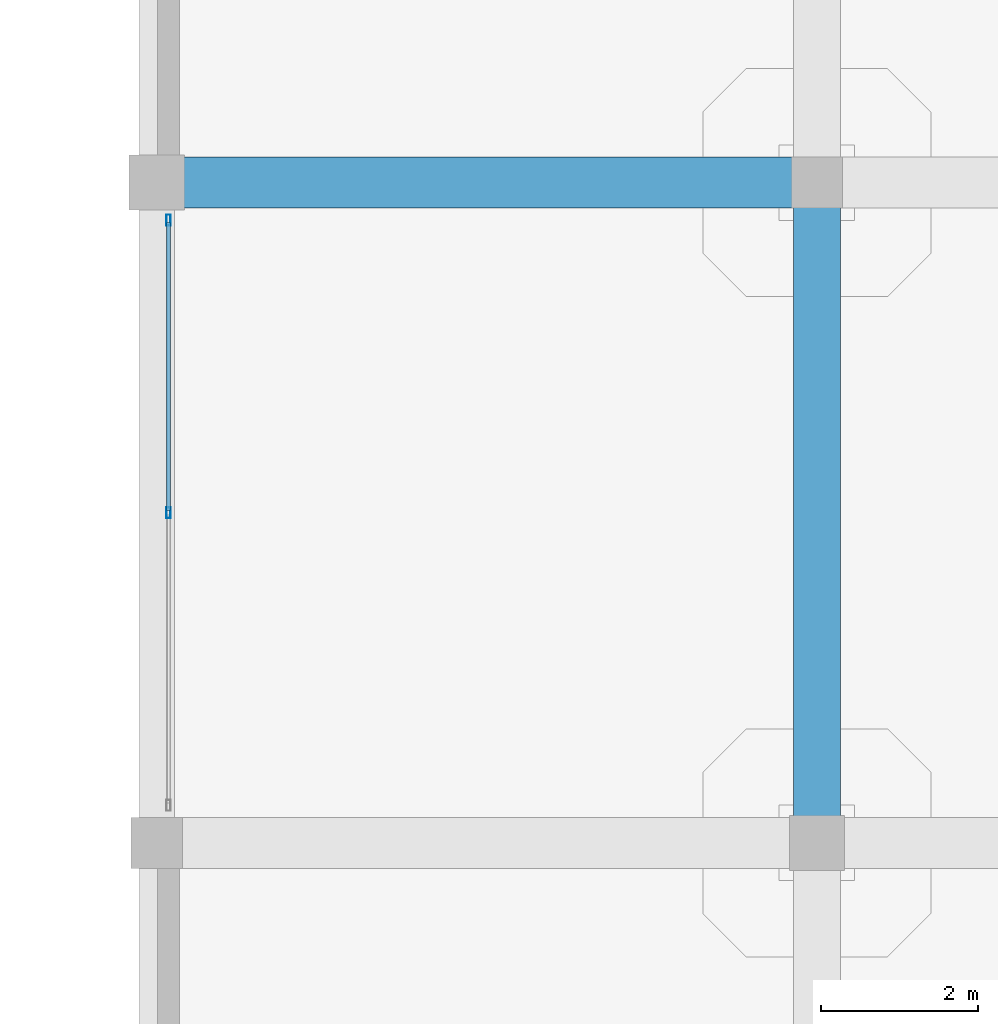
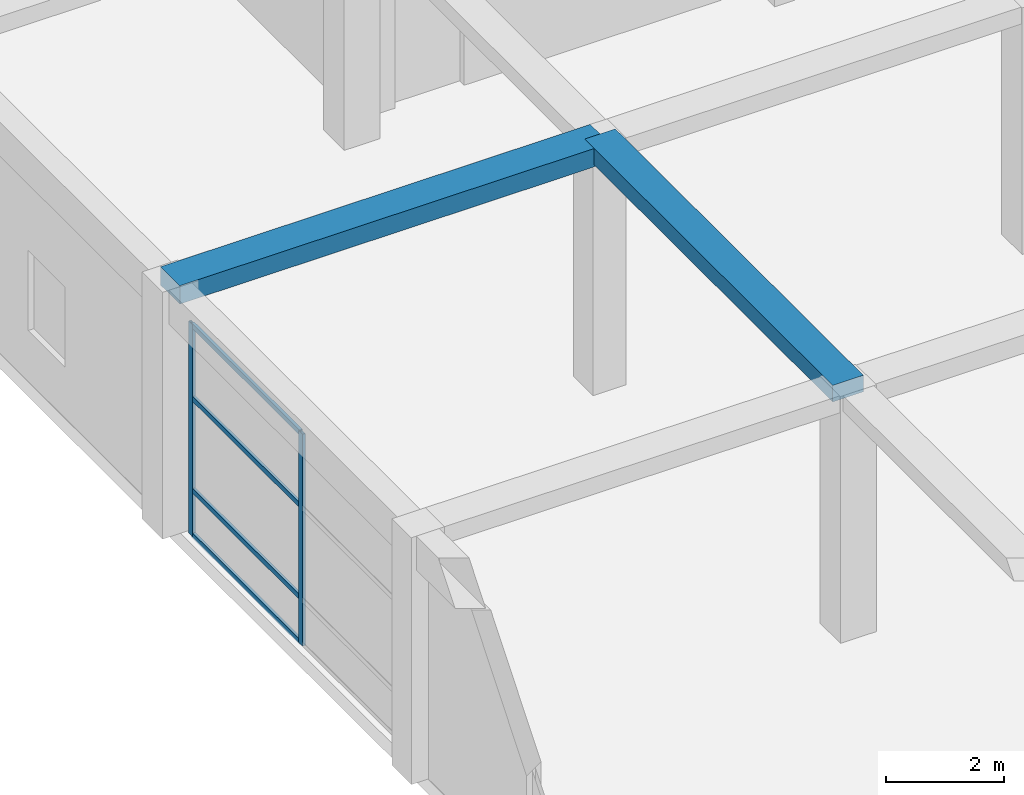
# One storey, part 20 of 96: 6 members, 2 beams, 1 element without a shape of its own.
"""IFC4 building model written with IfcOpenShell, lengths in metres."""

from ifc_helpers import new_model, si_unit, direction, frame, origin, origin_2d, place, context, subcontext, project, spatial, rectangle, hollow_rectangle, extrude, material, material_profile, profile_set, type_object, element, aggregate, save


model = new_model("IFC4")

# Units and contexts
model_context = context("Model", 3, precision=1e-05, world=origin(), true_north=direction((0.0, 1.0)))
body_context = subcontext(model_context, "Body", "Model", "MODEL_VIEW")
ifc_project = project(units=[si_unit("LENGTHUNIT", "METRE"), si_unit("AREAUNIT", "SQUARE_METRE"), si_unit("VOLUMEUNIT", "CUBIC_METRE"), si_unit("PLANEANGLEUNIT", "RADIAN"), si_unit("MASSUNIT", "GRAM", prefix="KILO")], contexts=[model_context])

# Site, building, storey
site_placement = place(None, origin())
site = spatial("IfcSite", under=ifc_project, at=site_placement, CompositionType="ELEMENT")
building_placement = place(site_placement, origin())
building = spatial("IfcBuilding", under=site, at=building_placement, Name="Almacenes y Pasaje Nevantli", CompositionType="ELEMENT")
storey_placement = place(building_placement, frame((0.0, 0.0, 6.0)))
storey = spatial("IfcBuildingStorey", under=building, at=storey_placement, Name="L02", CompositionType="ELEMENT", Elevation=6.0)

# Beams
ifc_material_1 = material(Name="Concrete C35/45", Category="concrete")
ifc_material_profile_1 = material_profile(ifc_material_1, rectangle(XDim=0.60009765625, YDim=0.340087890625, at=origin_2d()), Name="RC-BM-600x340")
ifc_profile_set_1 = profile_set([ifc_material_profile_1], Name="Concrete C35/45")
beam_type_1 = type_object("IfcBeamType", Name="BM-RC-600x340", PredefinedType="BEAM", material=ifc_profile_set_1)
beam_1_placement = place(storey_placement, frame((8.39990234375, 42.0, 4.929931640625), z_axis=(0.0, 1.0, 0.0), x_axis=(-1.0, 0.0, 0.0)))
element("IfcBeam", 1, at=beam_1_placement, inside=storey, type_object=beam_type_1, Name="L02 North-South Reinforced Concrete Beam #1979", PredefinedType="BEAM", context=body_context, shape_type="SweptSolid", body=[
    extrude(rectangle(XDim=0.60009765625, YDim=0.340087890625, at=origin_2d()), origin(), (0.0, 0.0, 1.0), 8.39990234375),
])
ifc_material_2 = material(Name="Concrete C35/45", Category="concrete")
ifc_material_profile_2 = material_profile(ifc_material_2, rectangle(XDim=0.64990234375, YDim=0.3798828125, at=origin_2d()), Name="RC-BM-650x380")
ifc_profile_set_2 = profile_set([ifc_material_profile_2], Name="Concrete C35/45")
beam_type_2 = type_object("IfcBeamType", Name="BM-RC-650x380", PredefinedType="BEAM", material=ifc_profile_set_2)
beam_2_placement = place(storey_placement, frame((0.0, 50.39990234375, 4.909912109375), z_axis=(1.0, 0.0, 0.0), x_axis=(0.0, 1.0, 0.0)))
element("IfcBeam", 2, at=beam_2_placement, inside=storey, type_object=beam_type_2, Name="L02 East-West Reinforced Concrete Beam #1819", PredefinedType="BEAM", context=body_context, shape_type="SweptSolid", body=[
    extrude(rectangle(XDim=0.64990234375, YDim=0.3798828125, at=origin_2d()), origin(), (0.0, 0.0, 1.0), 8.39990234375),
])

# Curtain wall, members
ifc_material_3 = material(Name="Thermally Broken Aluminium and Low-E Glass", Category="aluminium")
curtain_wall_type = type_object("IfcCurtainWallType", Name="CW-UNIT-PODIUM", PredefinedType="USERDEFINED", material=ifc_material_3)
curtain_wall_placement = place(storey_placement, origin())
curtain_wall = element("IfcCurtainWall", 3, at=curtain_wall_placement, inside=storey, type_object=curtain_wall_type, Name="L02 West Avenue Unitized Curtain Wall Bay 6", ObjectType="UNITIZED CURTAIN WALL", PredefinedType="USERDEFINED")
ifc_material_4 = material(Name="Thermally Broken Anodized Aluminium", Category="aluminium")
ifc_material_profile_3 = material_profile(ifc_material_4, hollow_rectangle(XDim=0.054931640625, YDim=0.139892578125, WallThickness=0.00341796875, at=origin_2d()), Name="ALU-MUL-55x140")
ifc_profile_set_3 = profile_set([ifc_material_profile_3], Name="Thermally Broken Anodized Aluminium")
member_type_1 = type_object("IfcMemberType", Name="CW-MUL-160", PredefinedType="MULLION", material=ifc_profile_set_3)
member_1_placement = place(storey_placement, frame((0.14990234375, 46.199951171875, 0.0), z_axis=(0.0, 0.0, 1.0), x_axis=(-1.0, 0.0, 0.0)))
member_1 = element("IfcMember", 4, at=member_1_placement, type_object=member_type_1, Name="CW-L02-016 mullion 2", PredefinedType="MULLION", context=body_context, shape_type="SweptSolid", body=[
    extrude(hollow_rectangle(XDim=0.054931640625, YDim=0.139892578125, WallThickness=0.00341796875, at=origin_2d()), origin(), (0.0, 0.0, 1.0), 4.3798828125),
])
member_2_placement = place(storey_placement, frame((0.14990234375, 49.922607421875, 0.0), z_axis=(0.0, 0.0, 1.0), x_axis=(-1.0, 0.0, 0.0)))
member_2 = element("IfcMember", 5, at=member_2_placement, type_object=member_type_1, Name="CW-L02-016 mullion 3", PredefinedType="MULLION", context=body_context, shape_type="SweptSolid", body=[
    extrude(hollow_rectangle(XDim=0.054931640625, YDim=0.139892578125, WallThickness=0.00341796875, at=origin_2d()), origin(), (0.0, 0.0, 1.0), 4.3798828125),
])
ifc_material_5 = material(Name="Thermally Broken Anodized Aluminium", Category="aluminium")
ifc_material_profile_4 = material_profile(ifc_material_5, hollow_rectangle(XDim=0.054931640625, YDim=0.10498046875, WallThickness=0.003173828125, at=origin_2d()), Name="ALU-TRN-55x105")
ifc_profile_set_4 = profile_set([ifc_material_profile_4], Name="Thermally Broken Anodized Aluminium")
member_type_2 = type_object("IfcMemberType", Name="CW-TRN-120", PredefinedType="USERDEFINED", material=ifc_profile_set_4)
member_3_placement = place(storey_placement, frame((0.14990234375, 46.2275390625, 0.027587890625), z_axis=(0.0, 1.0, 0.0), x_axis=(-1.0, 0.0, 0.0)))
member_3 = element("IfcMember", 6, at=member_3_placement, type_object=member_type_2, Name="CW-L02-016 transom 2.1", ObjectType="TRANSOM", PredefinedType="USERDEFINED", context=body_context, shape_type="SweptSolid", body=[
    extrude(hollow_rectangle(XDim=0.054931640625, YDim=0.10498046875, WallThickness=0.003173828125, at=origin_2d()), origin(), (0.0, 0.0, 1.0), 3.66748046875),
])
member_4_placement = place(storey_placement, frame((0.14990234375, 46.2275390625, 0.949951171875), z_axis=(0.0, 1.0, 0.0), x_axis=(-1.0, 0.0, 0.0)))
member_4 = element("IfcMember", 7, at=member_4_placement, type_object=member_type_2, Name="CW-L02-016 transom 2.2", ObjectType="TRANSOM", PredefinedType="USERDEFINED", context=body_context, shape_type="SweptSolid", body=[
    extrude(hollow_rectangle(XDim=0.054931640625, YDim=0.10498046875, WallThickness=0.003173828125, at=origin_2d()), origin(), (0.0, 0.0, 1.0), 3.66748046875),
])
member_5_placement = place(storey_placement, frame((0.14990234375, 46.2275390625, 2.85009765625), z_axis=(0.0, 1.0, 0.0), x_axis=(-1.0, 0.0, 0.0)))
member_5 = element("IfcMember", 8, at=member_5_placement, type_object=member_type_2, Name="CW-L02-016 transom 2.3", ObjectType="TRANSOM", PredefinedType="USERDEFINED", context=body_context, shape_type="SweptSolid", body=[
    extrude(hollow_rectangle(XDim=0.054931640625, YDim=0.10498046875, WallThickness=0.003173828125, at=origin_2d()), origin(), (0.0, 0.0, 1.0), 3.66748046875),
])
member_6_placement = place(storey_placement, frame((0.14990234375, 46.2275390625, 4.3525390625), z_axis=(0.0, 1.0, 0.0), x_axis=(-1.0, 0.0, 0.0)))
member_6 = element("IfcMember", 9, at=member_6_placement, type_object=member_type_2, Name="CW-L02-016 transom 2.4", ObjectType="TRANSOM", PredefinedType="USERDEFINED", context=body_context, shape_type="SweptSolid", body=[
    extrude(hollow_rectangle(XDim=0.054931640625, YDim=0.10498046875, WallThickness=0.003173828125, at=origin_2d()), origin(), (0.0, 0.0, 1.0), 3.66748046875),
])
aggregate(curtain_wall, [member_1, member_2, member_3, member_4, member_5, member_6])

save(model, "model.ifc")
